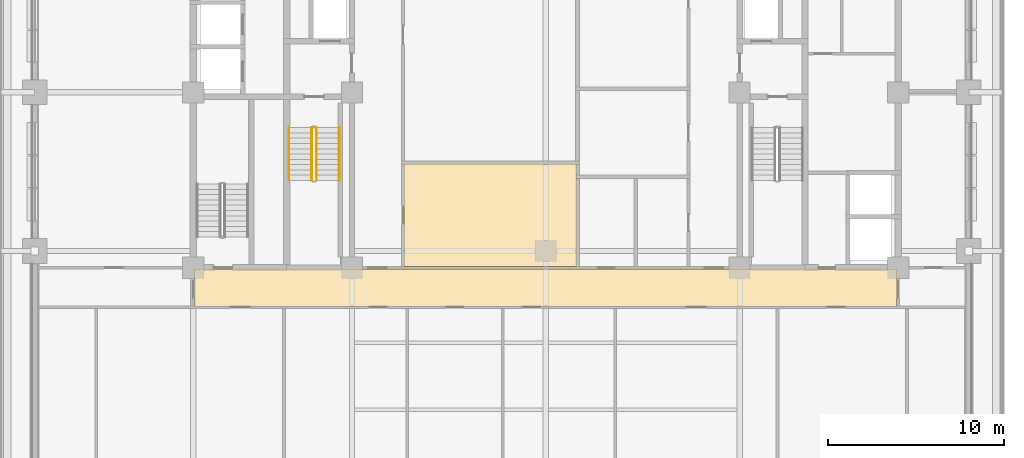
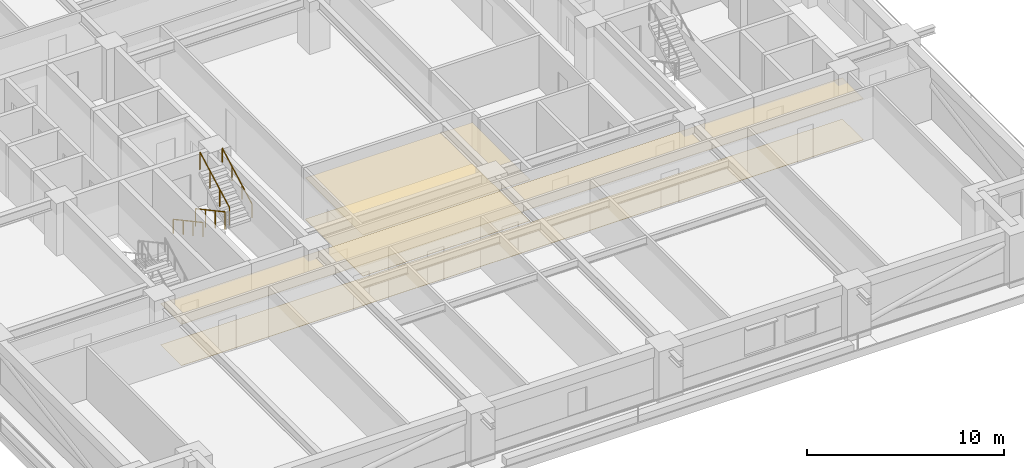
# One storey, part 12 of 16: 4 coverings, 4 railings.
"""IFC4 building model written with IfcOpenShell, lengths in metres."""

from ifc_helpers import new_model, si_unit, direction, frame, origin, origin_2d, place, context, subcontext, project, spatial, polyline, rectangle, outline, extrude, material, layer, layer_set, type_object, element, save


model = new_model("IFC4")

# Units and contexts
model_context = context("Model", 3, precision=1e-05, world=origin(), true_north=direction((0.0, 1.0)))
body_context = subcontext(model_context, "Body", "Model", "MODEL_VIEW")
ifc_project = project(units=[si_unit("LENGTHUNIT", "METRE"), si_unit("AREAUNIT", "SQUARE_METRE"), si_unit("VOLUMEUNIT", "CUBIC_METRE"), si_unit("PLANEANGLEUNIT", "RADIAN"), si_unit("MASSUNIT", "GRAM", prefix="KILO")], contexts=[model_context])

# Site, building, storey
site_placement = place(None, origin())
site = spatial("IfcSite", under=ifc_project, at=site_placement, CompositionType="ELEMENT")
building_placement = place(site_placement, origin())
building = spatial("IfcBuilding", under=site, at=building_placement, Name="Zulmaris Gate Convention Tower", CompositionType="ELEMENT")
storey_placement = place(building_placement, frame((0.0, 0.0, 67.89990234375)))
storey = spatial("IfcBuildingStorey", under=building, at=storey_placement, Name="L16", CompositionType="ELEMENT", Elevation=67.89990234375)

# Coverings
ifc_material_1 = material(Name="Mineral Fibre Acoustic Ceiling Tile")
ifc_layer_1 = layer(ifc_material_1, 0.02001953125, Name="Mineral Fibre Acoustic Ceiling Tile")
ifc_layer_set_1 = layer_set([ifc_layer_1], Name="Mineral Fibre Acoustic Ceiling Tile")
covering_type_1 = type_object("IfcCoveringType", Name="CLG-ACOUSTIC-600", PredefinedType="CEILING", material=ifc_layer_set_1)
covering_1_placement = place(storey_placement, frame((0.0, 0.0, 2.552978515625)))
element("IfcCovering", 1, at=covering_1_placement, inside=storey, type_object=covering_type_1, Name="CLG-L16-R32", PredefinedType="CEILING", context=body_context, shape_type="SweptSolid", body=[
    extrude(outline(polyline([(-19.93994140625, -12.139892578125), (19.93994140625, -12.139892578125), (19.93994140625, -10.010009765625), (-19.93994140625, -10.010009765625), (-19.93994140625, -12.139892578125)])), origin(), (0.0, 0.0, 1.0), 0.02001953125),
])
covering_2_placement = place(storey_placement, frame((0.0, 0.0, 2.552978515625)))
element("IfcCovering", 2, at=covering_2_placement, inside=storey, type_object=covering_type_1, Name="CLG-L16-R47", PredefinedType="CEILING", context=body_context, shape_type="SweptSolid", body=[
    extrude(outline(polyline([(-8.0400390625, -9.889892578125), (1.739990234375, -9.889892578125), (1.739990234375, -4.06005859375), (-8.0400390625, -4.06005859375), (-8.0400390625, -9.889892578125)])), origin(), (0.0, 0.0, 1.0), 0.02001953125),
])
ifc_material_2 = material(Name="Woven Acoustic Wool Carpet Tile")
ifc_layer_2 = layer(ifc_material_2, 0.02001953125, Name="Woven Acoustic Wool Carpet Tile")
ifc_layer_set_2 = layer_set([ifc_layer_2], Name="Woven Acoustic Wool Carpet Tile")
covering_type_2 = type_object("IfcCoveringType", Name="FLR-CARPET-12", PredefinedType="FLOORING", material=ifc_layer_set_2)
covering_3_placement = place(storey_placement, origin())
element("IfcCovering", 3, at=covering_3_placement, inside=storey, type_object=covering_type_2, Name="FLR-L16-R32", PredefinedType="FLOORING", context=body_context, shape_type="SweptSolid", body=[
    extrude(outline(polyline([(-19.93994140625, -12.139892578125), (19.93994140625, -12.139892578125), (19.93994140625, -10.010009765625), (-19.93994140625, -10.010009765625), (-19.93994140625, -12.139892578125)])), origin(), (0.0, 0.0, 1.0), 0.02001953125),
])
covering_4_placement = place(storey_placement, origin())
element("IfcCovering", 4, at=covering_4_placement, inside=storey, type_object=covering_type_2, Name="FLR-L16-R47", PredefinedType="FLOORING", context=body_context, shape_type="SweptSolid", body=[
    extrude(outline(polyline([(-8.0400390625, -9.889892578125), (1.739990234375, -9.889892578125), (1.739990234375, -4.06005859375), (-8.0400390625, -4.06005859375), (-8.0400390625, -9.889892578125)])), origin(), (0.0, 0.0, 1.0), 0.02001953125),
])

# Railings
ifc_material_3 = material(Name="Painted Galvanised Steel", Category="steel")
railing_type_1 = type_object("IfcRailingType", Name="RL-STG-1150", PredefinedType="GUARDRAIL", material=ifc_material_3)
railing_1_placement = place(storey_placement, frame((-13.27001953125, -2.0, 0.162353515625)))
element("IfcRailing", 5, at=railing_1_placement, inside=storey, type_object=railing_type_1, Name="L16 ST-1 stair guard 1", PredefinedType="GUARDRAIL", context=body_context, shape_type="SweptSolid", body=[
    extrude(rectangle(XDim=0.048095703125, YDim=0.048095703125, at=origin_2d()), frame((0.0, 0.0, 1.076171875), z_axis=(0.0, -0.8795616155, 0.475784998228), x_axis=(1.0, 0.0, 0.0)), (0.0, 0.0, 1.0), 3.410888671875),
    extrude(rectangle(XDim=0.0419921875, YDim=0.0419921875, at=origin_2d()), origin(), (0.0, 0.0, 1.0), 1.052001953125),
    extrude(rectangle(XDim=0.0419921875, YDim=0.0419921875, at=origin_2d()), frame((0.0, -1.0, 0.541015625)), (0.0, 0.0, 1.0), 1.052001953125),
    extrude(rectangle(XDim=0.0419921875, YDim=0.0419921875, at=origin_2d()), frame((0.0, -2.0, 1.081787109375)), (0.0, 0.0, 1.0), 1.052001953125),
    extrude(rectangle(XDim=0.0419921875, YDim=0.0419921875, at=origin_2d()), frame((0.0, -3.0, 1.622802734375)), (0.0, 0.0, 1.0), 1.052001953125),
])
railing_2_placement = place(storey_placement, frame((-13.010009765625, -5.0, 1.947265625)))
element("IfcRailing", 6, at=railing_2_placement, inside=storey, type_object=railing_type_1, Name="L16 ST-1 stair guard 3", PredefinedType="GUARDRAIL", context=body_context, shape_type="SweptSolid", body=[
    extrude(rectangle(XDim=0.048095703125, YDim=0.048095703125, at=origin_2d()), frame((0.0, 0.0, 1.076171875), z_axis=(0.0, 0.8795616155, 0.475784998228), x_axis=(-1.0, 0.0, 0.0)), (0.0, 0.0, 1.0), 3.410888671875),
    extrude(rectangle(XDim=0.0419921875, YDim=0.0419921875, at=origin_2d()), origin(), (0.0, 0.0, 1.0), 1.052001953125),
    extrude(rectangle(XDim=0.0419921875, YDim=0.0419921875, at=origin_2d()), frame((0.0, 1.0, 0.541015625)), (0.0, 0.0, 1.0), 1.052001953125),
    extrude(rectangle(XDim=0.0419921875, YDim=0.0419921875, at=origin_2d()), frame((0.0, 2.0, 1.081787109375)), (0.0, 0.0, 1.0), 1.052001953125),
    extrude(rectangle(XDim=0.0419921875, YDim=0.0419921875, at=origin_2d()), frame((0.0, 3.0, 1.622802734375)), (0.0, 0.0, 1.0), 1.052001953125),
])
ifc_material_4 = material(Name="Brushed Stainless Steel", Category="steel")
railing_type_2 = type_object("IfcRailingType", Name="RL-STH-900", PredefinedType="HANDRAIL", material=ifc_material_4)
railing_3_placement = place(storey_placement, frame((-14.570068359375, -2.0, 0.162353515625)))
element("IfcRailing", 7, at=railing_3_placement, inside=storey, type_object=railing_type_2, Name="L16 ST-1 stair handrail 1", PredefinedType="HANDRAIL", context=body_context, shape_type="SweptSolid", body=[
    extrude(rectangle(XDim=0.048095703125, YDim=0.048095703125, at=origin_2d()), frame((0.0, 0.0, 0.8759765625), z_axis=(0.0, -0.8795616155, 0.475784998228), x_axis=(1.0, 0.0, 0.0)), (0.0, 0.0, 1.0), 3.410888671875),
    extrude(rectangle(XDim=0.0419921875, YDim=0.0419921875, at=origin_2d()), origin(), (0.0, 0.0, 1.0), 0.851806640625),
    extrude(rectangle(XDim=0.0419921875, YDim=0.0419921875, at=origin_2d()), frame((0.0, -1.0, 0.541015625)), (0.0, 0.0, 1.0), 0.851806640625),
    extrude(rectangle(XDim=0.0419921875, YDim=0.0419921875, at=origin_2d()), frame((0.0, -2.0, 1.081787109375)), (0.0, 0.0, 1.0), 0.851806640625),
    extrude(rectangle(XDim=0.0419921875, YDim=0.0419921875, at=origin_2d()), frame((0.0, -3.0, 1.622802734375)), (0.0, 0.0, 1.0), 0.851806640625),
])
railing_4_placement = place(storey_placement, frame((-11.7099609375, -5.0, 1.947265625)))
element("IfcRailing", 8, at=railing_4_placement, inside=storey, type_object=railing_type_2, Name="L16 ST-1 stair handrail 2", PredefinedType="HANDRAIL", context=body_context, shape_type="SweptSolid", body=[
    extrude(rectangle(XDim=0.048095703125, YDim=0.048095703125, at=origin_2d()), frame((0.0, 0.0, 0.8759765625), z_axis=(0.0, 0.8795616155, 0.475784998228), x_axis=(-1.0, 0.0, 0.0)), (0.0, 0.0, 1.0), 3.410888671875),
    extrude(rectangle(XDim=0.0419921875, YDim=0.0419921875, at=origin_2d()), origin(), (0.0, 0.0, 1.0), 0.851806640625),
    extrude(rectangle(XDim=0.0419921875, YDim=0.0419921875, at=origin_2d()), frame((0.0, 1.0, 0.541015625)), (0.0, 0.0, 1.0), 0.851806640625),
    extrude(rectangle(XDim=0.0419921875, YDim=0.0419921875, at=origin_2d()), frame((0.0, 2.0, 1.081787109375)), (0.0, 0.0, 1.0), 0.851806640625),
    extrude(rectangle(XDim=0.0419921875, YDim=0.0419921875, at=origin_2d()), frame((0.0, 3.0, 1.622802734375)), (0.0, 0.0, 1.0), 0.851806640625),
])

save(model, "model.ifc")
